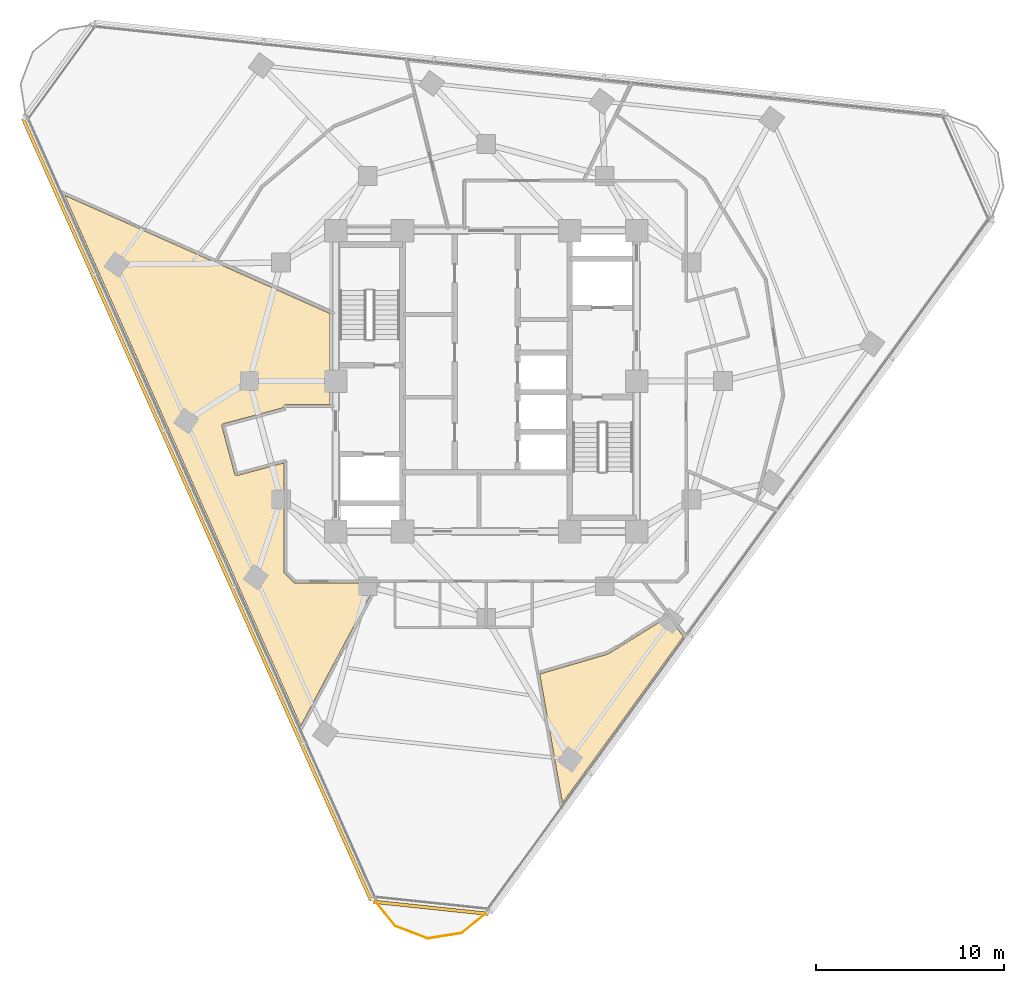
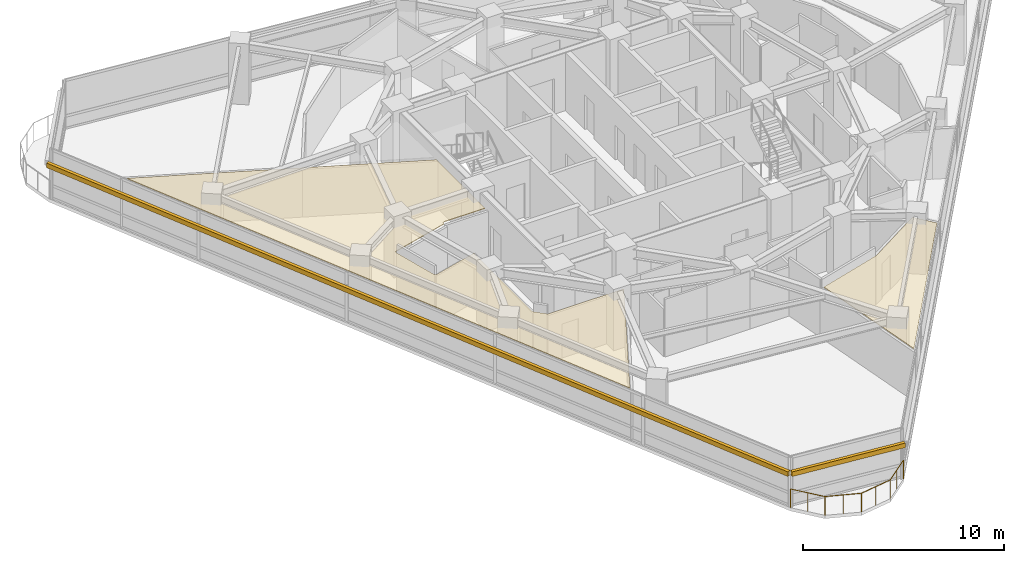
# One storey, part 12 of 15: 2 coverings, 2 shading devices, 1 railing.
"""IFC4 building model written with IfcOpenShell, lengths in metres."""

from ifc_helpers import new_model, si_unit, direction, frame, origin, origin_2d, place, context, subcontext, project, spatial, polyline, rectangle, circle, outline, extrude, material, layer, layer_set, type_object, element, save


model = new_model("IFC4")

# Units and contexts
model_context = context("Model", 3, precision=1e-05, world=origin(), true_north=direction((0.0, 1.0)))
body_context = subcontext(model_context, "Body", "Model", "MODEL_VIEW")
ifc_project = project(units=[si_unit("LENGTHUNIT", "METRE"), si_unit("AREAUNIT", "SQUARE_METRE"), si_unit("VOLUMEUNIT", "CUBIC_METRE"), si_unit("PLANEANGLEUNIT", "RADIAN"), si_unit("MASSUNIT", "GRAM", prefix="KILO")], contexts=[model_context])

# Site, building, storey
site_placement = place(None, origin())
site = spatial("IfcSite", under=ifc_project, at=site_placement, CompositionType="ELEMENT")
building_placement = place(site_placement, origin())
building = spatial("IfcBuilding", under=site, at=building_placement, Name="Terralouvre Media Tower", CompositionType="ELEMENT")
storey_placement = place(building_placement, frame((0.0, 0.0, 230.0)))
storey = spatial("IfcBuildingStorey", under=building, at=storey_placement, Name="L59", CompositionType="ELEMENT", Elevation=230.0)

# Coverings
ifc_material_1 = material(Name="Perforated aluminium acoustic ceiling baffle", Category="aluminium")
ifc_layer_1 = layer(ifc_material_1, 0.0400390625, Name="Perforated Acoustic Metal Tile Ceiling CL-AC1")
ifc_layer_set_1 = layer_set([ifc_layer_1], Name="Perforated aluminium acoustic ceiling baffle")
covering_type = type_object("IfcCoveringType", Name="Perforated Acoustic Metal Tile Ceiling CL-AC1", PredefinedType="CEILING", material=ifc_layer_set_1)
covering_1_placement = place(storey_placement, frame((0.0, 0.0, 2.97998046875), z_axis=(0.0, 0.0, 1.0), x_axis=(0.587785252292, 0.809016994375, 0.0)))
element("IfcCovering", 1, at=covering_1_placement, inside=storey, type_object=covering_type, Name="L59 Journalist Quiet Study 1 Acoustic Ceiling", PredefinedType="CEILING", context=body_context, shape_type="SweptSolid", body=[
    extrude(outline(polyline([(-14.662841796875, 1.892822265625), (-14.668212890625, 1.901123046875), (-14.6728515625, 1.90966796875), (-14.676513671875, 1.918701171875), (-14.67919921875, 1.92822265625), (-14.68115234375, 1.93798828125), (-14.681884765625, 1.94775390625), (-14.681884765625, 1.95751953125), (-14.680908203125, 1.96728515625), (-14.570068359375, 2.665771484375), (-14.568115234375, 2.67529296875), (-14.565185546875, 2.6845703125), (-14.561279296875, 2.693603515625), (-14.556640625, 2.7021484375), (-14.55126953125, 2.71044921875), (-14.544921875, 2.718017578125), (-14.537841796875, 2.724853515625), (-14.5302734375, 2.73095703125), (-9.84228515625, 6.136962890625), (-11.8544921875, 7.766357421875), (-11.862060546875, 7.77294921875), (-11.86865234375, 7.7802734375), (-11.87451171875, 7.7880859375), (-11.879638671875, 7.79638671875), (-11.8837890625, 7.80517578125), (-11.88720703125, 7.814453125), (-11.8896484375, 7.823974609375), (-11.89111328125, 7.833740234375), (-11.8916015625, 7.843505859375), (-11.891357421875, 7.853271484375), (-11.889892578125, 7.863037109375), (-11.8876953125, 7.87255859375), (-11.88427734375, 7.8818359375), (-11.880126953125, 7.890625), (-11.875244140625, 7.899169921875), (-11.869384765625, 7.9072265625), (-10.200927734375, 9.966064453125), (-10.1943359375, 9.973388671875), (-10.187255859375, 9.97998046875), (-10.17919921875, 9.98583984375), (-10.1708984375, 9.990966796875), (-10.162109375, 9.9951171875), (-10.15283203125, 9.99853515625), (-10.143310546875, 10.0009765625), (-10.1337890625, 10.00244140625), (-10.123779296875, 10.003173828125), (-10.114013671875, 10.002685546875), (-10.104248046875, 10.001220703125), (-10.094970703125, 9.9990234375), (-10.08544921875, 9.99560546875), (-10.07666015625, 9.991455078125), (-10.068115234375, 9.986572265625), (-10.060302734375, 9.980712890625), (-7.45556640625, 7.870849609375), (-7.410888671875, 7.9033203125), (-7.402587890625, 7.90869140625), (-7.39404296875, 7.913330078125), (-7.384765625, 7.9169921875), (-7.37548828125, 7.919677734375), (-7.36572265625, 7.921630859375), (-7.35595703125, 7.92236328125), (-7.34619140625, 7.92236328125), (-7.33642578125, 7.92138671875), (-7.326904296875, 7.919189453125), (-7.317626953125, 7.916259765625), (-7.308349609375, 7.912353515625), (-7.2998046875, 7.90771484375), (-7.291748046875, 7.90234375), (-7.2841796875, 7.89599609375), (-7.27734375, 7.888916015625), (-7.271240234375, 7.88134765625), (-5.895751953125, 5.98828125), (-1.97998046875, 8.833251953125), (-3.36962890625, 15.374267578125), (-5.1904296875, 23.938720703125), (-20.626953125, -2.797607421875), (-12.123291015625, -1.6025390625), (-14.662841796875, 1.892822265625)])), origin(), (0.0, 0.0, 1.0), 0.0400390625),
])
covering_2_placement = place(storey_placement, frame((0.0, 0.0, 2.97998046875), z_axis=(0.0, 0.0, 1.0), x_axis=(0.587785252292, 0.809016994375, 0.0)))
element("IfcCovering", 2, at=covering_2_placement, inside=storey, type_object=covering_type, Name="L59 Investigative Desk Open Office 4 Acoustic Ceiling", PredefinedType="CEILING", context=body_context, shape_type="SweptSolid", body=[
    extrude(outline(polyline([(-7.93798828125, -13.775390625), (-7.9462890625, -13.771484375), (-7.9541015625, -13.76708984375), (-7.96142578125, -13.761962890625), (-10.9306640625, -11.463134765625), (-15.7607421875, -16.465087890625), (-4.8251953125, -16.46435546875), (-4.46240234375, -15.19775390625), (-7.93798828125, -13.775390625)])), origin(), (0.0, 0.0, 1.0), 0.0400390625),
])

# Railing
ifc_material_2 = material(Name="Stainless steel 316 handrail and balustrade", Category="steel")
ifc_layer_2 = layer(ifc_material_2, 0.06005859375, Name="Roof Edge Safety Guardrail GR-ROOF1")
ifc_layer_set_2 = layer_set([ifc_layer_2], Name="Stainless steel 316 handrail and balustrade")
railing_type = type_object("IfcRailingType", Name="Roof Edge Safety Guardrail GR-ROOF1", PredefinedType="GUARDRAIL", material=ifc_layer_set_2)
railing_placement = place(storey_placement, frame((-5.98583984375, -27.5546875, 0.0)))
element("IfcRailing", 3, at=railing_placement, inside=storey, type_object=railing_type, Name="L59 Wind-Corner Perimeter Safety Guardrail C0", PredefinedType="GUARDRAIL", context=body_context, shape_type="SweptSolid", body=[
    extrude(circle(Radius=0.02099609375, at=origin_2d()), frame((0.0, 0.0, 1.12890625), z_axis=(0.629125588714, -0.777303668861, 0.0), x_axis=(0.777303668861, 0.629125588714, 0.0)), (0.0, 0.0, 1.0), 1.837158203125),
    extrude(circle(Radius=0.02099609375, at=origin_2d()), frame((1.15576171875, -1.427978515625, 1.12890625), z_axis=(0.933530480619, -0.358498035915, 0.0), x_axis=(0.358498035915, 0.933530480619, 0.0)), (0.0, 0.0, 1.0), 1.836669921875),
    extrude(circle(Radius=0.02099609375, at=origin_2d()), frame((2.870361328125, -2.08642578125, 1.12890625), z_axis=(0.987666866591, 0.156569986387, 0.0), x_axis=(-0.156569986387, 0.987666866591, 0.0)), (0.0, 0.0, 1.0), 1.8369140625),
    extrude(circle(Radius=0.02099609375, at=origin_2d()), frame((4.6845703125, -1.798828125, 1.12890625), z_axis=(0.777015769995, 0.629481130122, 0.0), x_axis=(-0.629481130122, 0.777015769995, 0.0)), (0.0, 0.0, 1.0), 1.8369140625),
    extrude(circle(Radius=0.01904296875, at=origin_2d()), origin(), (0.0, 0.0, 1.0), 1.10791015625),
    extrude(circle(Radius=0.01904296875, at=origin_2d()), frame((0.577880859375, -0.7138671875, 0.0)), (0.0, 0.0, 1.0), 1.10791015625),
    extrude(circle(Radius=0.01904296875, at=origin_2d()), frame((1.15576171875, -1.427978515625, 0.0)), (0.0, 0.0, 1.0), 1.10791015625),
    extrude(circle(Radius=0.01904296875, at=origin_2d()), frame((2.01318359375, -1.75732421875, 0.0)), (0.0, 0.0, 1.0), 1.10791015625),
    extrude(circle(Radius=0.01904296875, at=origin_2d()), frame((2.870361328125, -2.08642578125, 0.0)), (0.0, 0.0, 1.0), 1.10791015625),
    extrude(circle(Radius=0.01904296875, at=origin_2d()), frame((3.77734375, -1.942626953125, 0.0)), (0.0, 0.0, 1.0), 1.10791015625),
    extrude(circle(Radius=0.01904296875, at=origin_2d()), frame((4.6845703125, -1.798828125, 0.0)), (0.0, 0.0, 1.0), 1.10791015625),
    extrude(circle(Radius=0.01904296875, at=origin_2d()), frame((5.398193359375, -1.220703125, 0.0)), (0.0, 0.0, 1.0), 1.10791015625),
    extrude(circle(Radius=0.01904296875, at=origin_2d()), frame((6.11181640625, -0.642578125, 0.0)), (0.0, 0.0, 1.0), 1.10791015625),
])

# Shading devices
ifc_material_3 = material(Name="Extruded terracotta baguette sunshade louvres", Category="masonry")
shading_device_type = type_object("IfcShadingDeviceType", Name="Terracotta Baguette Sunshade Louvre Screen TB-LV1", PredefinedType="USERDEFINED", material=ifc_material_3)
shading_device_1_placement = place(storey_placement, frame((-15.3701171875, -6.84326171875, 2.02392578125), z_axis=(0.0, 0.0, 1.0), x_axis=(0.406736679636, -0.913545441365, 0.0)))
element("IfcShadingDevice", 4, at=shading_device_1_placement, inside=storey, type_object=shading_device_type, Name="CW-L59-F2 Terracotta Baguette Sunshade Louvre", ObjectType="BAGUETTE", PredefinedType="USERDEFINED", context=body_context, shape_type="SweptSolid", body=[
    extrude(rectangle(XDim=45.5, YDim=0.179931640625, at=origin_2d()), origin(), (0.0, 0.0, 1.0), 0.280029296875),
])
shading_device_2_placement = place(storey_placement, frame((-2.944091796875, -28.01025390625, 2.02392578125), z_axis=(0.0, 0.0, 1.0), x_axis=(0.994521944551, -0.104527995322, 0.0)))
element("IfcShadingDevice", 5, at=shading_device_2_placement, inside=storey, type_object=shading_device_type, Name="CW-L59-C0 Terracotta Baguette Sunshade Louvre", ObjectType="BAGUETTE", PredefinedType="USERDEFINED", context=body_context, shape_type="SweptSolid", body=[
    extrude(rectangle(XDim=6.148681640625, YDim=0.179931640625, at=origin_2d()), origin(), (0.0, 0.0, 1.0), 0.280029296875),
])

save(model, "model.ifc")
